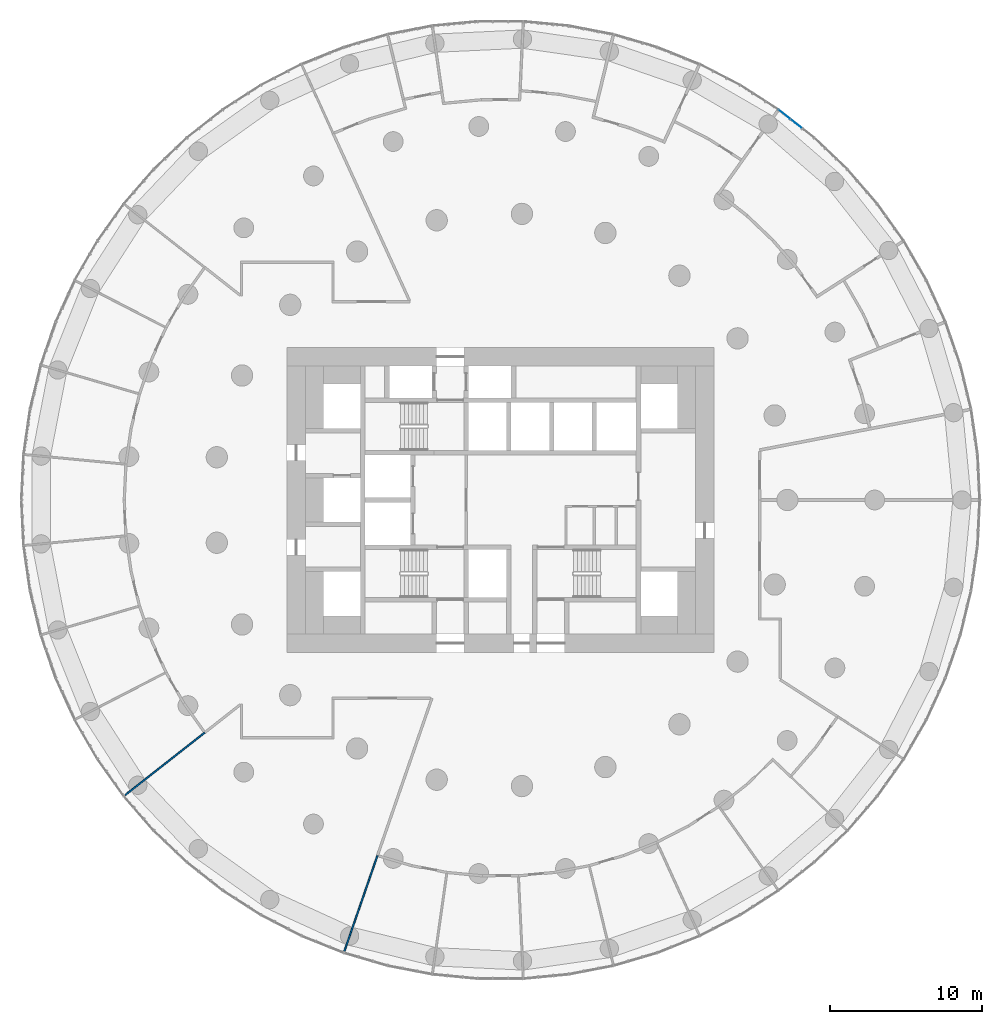
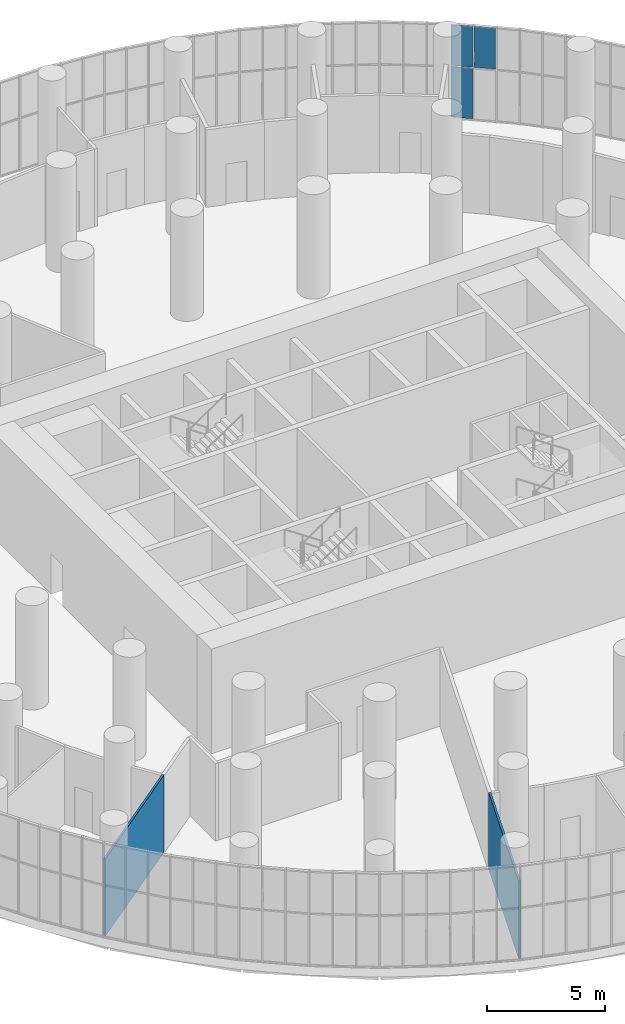
# One storey, part 20 of 27: 3 plates, 2 walls, 1 element without a shape of its own.
"""IFC4 building model written with IfcOpenShell, lengths in metres."""

import ifcopenshell
import ifcopenshell.guid

model = None  # the IFC model being written
_history = None  # IfcOwnerHistory: only IFC2X3 demands one
_inside = {}  # id of a spatial element -> (the spatial element, [elements in it])
_under = {}  # id of a project, library or spatial element -> (it, [spatial elements below it])
_declared = {}  # id of a project -> (the project, [libraries it declares])
_typed = {}  # id of a type object -> (the type object, [elements of that type])
_made_of = {}  # id of a material, layer set ... -> (it, [elements and type objects made of it])


def new_model(schema):
    """Start an empty IFC model of exactly this schema.

    Asked for "IFC4X3", IfcOpenShell would pick the latest addendum, in which some entities
    have other attributes; the version numbers below select the first issue.
    IFC2X3 requires an IfcOwnerHistory on every rooted entity: one is made here for all.
    """
    global model, _history
    if schema == "IFC4X3":
        model = ifcopenshell.file(schema_version=(4, 3, 0, 0))
    else:
        model = ifcopenshell.file(schema=schema)
    _inside.clear()
    _under.clear()
    _declared.clear()
    _typed.clear()
    _made_of.clear()
    _history = None
    if model.schema == "IFC2X3":
        org = make("IfcOrganization", Name="unknown")
        user = make(
            "IfcPersonAndOrganization",
            ThePerson=make("IfcPerson", FamilyName="unknown"),
            TheOrganization=org,
        )
        app = make(
            "IfcApplication",
            ApplicationDeveloper=org,
            Version="unknown",
            ApplicationFullName="unknown",
            ApplicationIdentifier="unknown",
        )
        _history = make(
            "IfcOwnerHistory",
            OwningUser=user,
            OwningApplication=app,
            ChangeAction="ADDED",
            CreationDate=0,
        )
    return model


def make(cls, **values):
    """One entity of the class cls with the attributes given. An attribute that is None is left unset."""
    return model.create_entity(
        cls, **{name: value for name, value in values.items() if value is not None}
    )


def rooted(cls, **values):
    """An entity with a GlobalId (a new one), such as an element, a storey or a relation."""
    return make(cls, GlobalId=ifcopenshell.guid.new(), OwnerHistory=_history, **values)


def si_unit(unit_type, name, prefix=None):
    """IfcSIUnit, for example si_unit("LENGTHUNIT", "METRE", prefix="MILLI")."""
    return make("IfcSIUnit", UnitType=unit_type, Prefix=prefix, Name=name)


def assignment(units):
    """IfcUnitAssignment: the units of a project."""
    return None if units is None else make("IfcUnitAssignment", Units=units)


def point(xyz):
    """IfcCartesianPoint."""
    return None if xyz is None else make("IfcCartesianPoint", Coordinates=xyz)


def direction(xyz):
    """IfcDirection."""
    return None if xyz is None else make("IfcDirection", DirectionRatios=xyz)


def frame(location, z_axis=None, x_axis=None):
    """IfcAxis2Placement3D, a coordinate frame: its origin and axes. An axis left out is left unset."""
    return make(
        "IfcAxis2Placement3D",
        Location=point(location),
        Axis=direction(z_axis),
        RefDirection=direction(x_axis),
    )


def frame_2d(location, x_axis=None):
    """IfcAxis2Placement2D, a coordinate frame in the plane: its origin and x axis."""
    return make(
        "IfcAxis2Placement2D", Location=point(location), RefDirection=direction(x_axis)
    )


def origin():
    """The frame at (0, 0, 0) with its axes left unset."""
    return frame((0.0, 0.0, 0.0))


def origin_2d():
    """The frame at (0, 0) in the plane with its x axis left unset."""
    return frame_2d((0.0, 0.0))


def place(relative_to, where):
    """IfcLocalPlacement: puts the frame where relative to a parent placement (None: the world)."""
    return make(
        "IfcLocalPlacement", PlacementRelTo=relative_to, RelativePlacement=where
    )


def context(
    kind, dimensions, precision=None, world=None, true_north=None, identifier=None
):
    """IfcGeometricRepresentationContext, for example the 3D "Model" context."""
    return make(
        "IfcGeometricRepresentationContext",
        ContextIdentifier=identifier,
        ContextType=kind,
        CoordinateSpaceDimension=dimensions,
        Precision=precision,
        WorldCoordinateSystem=world,
        TrueNorth=true_north,
    )


def subcontext(parent, identifier, kind, view, scale=None):
    """IfcGeometricRepresentationSubContext, for example "Body" below "Model"."""
    return make(
        "IfcGeometricRepresentationSubContext",
        ContextIdentifier=identifier,
        ContextType=kind,
        ParentContext=parent,
        TargetScale=scale,
        TargetView=view,
    )


def project(units=None, contexts=None):
    """IfcProject with its units and contexts."""
    return rooted(
        "IfcProject",
        Name="project",
        RepresentationContexts=contexts,
        UnitsInContext=assignment(units),
    )


def spatial(cls, under=None, at=None, **own):
    """A site, building, storey or space (cls), placed at a placement, below another one or the project."""
    s = rooted(cls, ObjectPlacement=at, **own)
    if under is not None:
        _under.setdefault(under.id(), (under, []))[1].append(s)
    return s


def profile(cls, at=None, kind="AREA", **sizes):
    """A parametric profile (cls). Its sizes go by their IFC names, for example OverallWidth=200.0."""
    return make(cls, ProfileType=kind, Position=at, **sizes)


def rectangle(**sizes):
    """IfcRectangleProfileDef."""
    return profile("IfcRectangleProfileDef", **sizes)


def extrude(swept, where, along, depth):
    """IfcExtrudedAreaSolid: the profile swept, set in the frame where, extruded along a direction by depth."""
    return make(
        "IfcExtrudedAreaSolid",
        SweptArea=swept,
        Position=where,
        ExtrudedDirection=direction(along),
        Depth=depth,
    )


def shape(context_of_items, identifier, shape_type, items):
    """IfcShapeRepresentation: the items that make up one representation, for example the "Body"."""
    return make(
        "IfcShapeRepresentation",
        ContextOfItems=context_of_items,
        RepresentationIdentifier=identifier,
        RepresentationType=shape_type,
        Items=items,
    )


def material(Name=None, Category=None):
    """IfcMaterial."""
    return make("IfcMaterial", Name=Name, Category=Category)


def layer(
    of_material, thickness, ventilated=None, Name=None, Category=None, Priority=None
):
    """IfcMaterialLayer: one layer of a wall or slab, of a material (None: an air gap)."""
    return make(
        "IfcMaterialLayer",
        Material=of_material,
        LayerThickness=thickness,
        IsVentilated=ventilated,
        Name=Name,
        Category=Category,
        Priority=Priority,
    )


def layer_set(layers, Name=None):
    """IfcMaterialLayerSet."""
    return make("IfcMaterialLayerSet", MaterialLayers=layers, LayerSetName=Name)


def made_of(thing, what):
    """Note that an element or type object is made of a material, layer set ...; save() writes the relation."""
    if what is not None:
        _made_of.setdefault(what.id(), (what, []))[1].append(thing)
    return thing


def type_object(cls, material=None, **own):
    """A type object (cls), such as IfcWallType, which elements share."""
    return made_of(rooted(cls, **own), material)


def element(
    cls,
    number,
    at=None,
    inside=None,
    cuts=None,
    type_object=None,
    material=None,
    context=None,
    identifier="Body",
    shape_type=None,
    held_by="IfcProductDefinitionShape",
    body=None,
    shapes=None,
    **own,
):
    """One element of the class cls, such as IfcWall. Its Tag is "e" and its number.

    at: its placement. inside: the storey or other place that contains it. cuts: it is an
    opening in that element (IfcRelVoidsElement). A single representation is given by context,
    identifier, shape_type and body (its items); several are given by shapes. held_by: the class
    of the entity that holds the representations. save() writes the other relations.
    """
    e = rooted(cls, Tag="e%d" % number, ObjectPlacement=at, **own)
    if body is not None:
        shapes = [shape(context, identifier, shape_type, body)]
    if shapes is not None:
        e.Representation = make(held_by, Representations=shapes)
    if inside is not None:
        _inside.setdefault(inside.id(), (inside, []))[1].append(e)
    if cuts is not None:
        rooted(
            "IfcRelVoidsElement", RelatingBuildingElement=cuts, RelatedOpeningElement=e
        )
    if type_object is not None:
        _typed.setdefault(type_object.id(), (type_object, []))[1].append(e)
    return made_of(e, material)


def aggregate(whole, parts):
    """IfcRelAggregates: a whole, such as a stair, and the parts it consists of."""
    return rooted("IfcRelAggregates", RelatingObject=whole, RelatedObjects=parts)


def save(model, path):
    """Write the relations noted so far, then the file.

    IfcRelAggregates (storeys below a building ...), IfcRelContainedInSpatialStructure (elements
    in a storey), IfcRelDefinesByType, IfcRelAssociatesMaterial and IfcRelDeclares: one each for
    every whole, place, type object, material and project.
    """
    for whole, parts in _under.values():
        aggregate(whole, parts)
    for where, things in _inside.values():
        rooted(
            "IfcRelContainedInSpatialStructure",
            RelatedElements=things,
            RelatingStructure=where,
        )
    for kind, things in _typed.values():
        rooted("IfcRelDefinesByType", RelatedObjects=things, RelatingType=kind)
    for what, things in _made_of.values():
        rooted("IfcRelAssociatesMaterial", RelatedObjects=things, RelatingMaterial=what)
    for by, libraries in _declared.values():
        rooted("IfcRelDeclares", RelatingContext=by, RelatedDefinitions=libraries)
    model.write(path)


model = new_model("IFC4")

# Units and contexts
model_context = context("Model", 3, precision=1e-05, world=origin(), true_north=direction((0.0, 1.0)))
body_context = subcontext(model_context, "Body", "Model", "MODEL_VIEW")
ifc_project = project(units=[si_unit("LENGTHUNIT", "METRE"), si_unit("AREAUNIT", "SQUARE_METRE"), si_unit("VOLUMEUNIT", "CUBIC_METRE"), si_unit("PLANEANGLEUNIT", "RADIAN"), si_unit("MASSUNIT", "GRAM", prefix="KILO")], contexts=[model_context])

# Site, building, storey
site_placement = place(None, origin())
site = spatial("IfcSite", under=ifc_project, at=site_placement, CompositionType="ELEMENT")
building_placement = place(site_placement, origin())
building = spatial("IfcBuilding", under=site, at=building_placement, Name="Tracery Tower", CompositionType="ELEMENT")
storey_placement = place(building_placement, frame((0.0, 0.0, 114.60009765625)))
storey = spatial("IfcBuildingStorey", under=building, at=storey_placement, Name="L29", CompositionType="ELEMENT", Elevation=114.60009765625)

# Curtain wall, plates
ifc_material_1 = material(Name="Aluminium curtain wall with tinted glass", Category="aluminium")
ifc_layer_1 = layer(ifc_material_1, 0.179931640625)
ifc_layer_set_1 = layer_set([ifc_layer_1], Name="Sky lounge 1 tracery curtain wall")
curtain_wall_type = type_object("IfcCurtainWallType", Name="Sky lounge 1 tracery curtain wall", PredefinedType="NOTDEFINED", material=ifc_layer_set_1)
curtain_wall_placement = place(storey_placement, origin())
curtain_wall = element("IfcCurtainWall", 1, at=curtain_wall_placement, inside=storey, type_object=curtain_wall_type, Name="Sky lounge 1 curtain wall run 10", PredefinedType="NOTDEFINED")
ifc_material_2 = material(Name="Tinted laminated glass", Category="glass")
ifc_layer_2 = layer(ifc_material_2, 0.031982421875)
ifc_layer_set_2 = layer_set([ifc_layer_2], Name="Sky lounge 1 glass panel 32")
plate_type = type_object("IfcPlateType", Name="Sky lounge 1 glass panel 32", PredefinedType="CURTAIN_PANEL", material=ifc_layer_set_2)
plate_1_placement = place(storey_placement, frame((19.409423828125, 24.68115234375, 2.72998046875), z_axis=(0.0, 0.0, 1.0), x_axis=(-0.786053094741, 0.618158986223, 0.0)))
plate_1 = element("IfcPlate", 2, at=plate_1_placement, type_object=plate_type, Name="Sky lounge 1 curtain wall run 10 glass panel 4", PredefinedType="CURTAIN_PANEL", context=body_context, shape_type="SweptSolid", body=[
    extrude(rectangle(XDim=0.937255859375, YDim=0.031982421875, at=origin_2d()), origin(), (0.0, 0.0, 1.0), 2.110107421875),
])
plate_2_placement = place(storey_placement, frame((18.625732421875, 25.297607421875, 0.06005859375), z_axis=(0.0, 0.0, 1.0), x_axis=(-0.786053094741, 0.618158986223, 0.0)))
plate_2 = element("IfcPlate", 3, at=plate_2_placement, type_object=plate_type, Name="Sky lounge 1 curtain wall run 10 glass panel 5", PredefinedType="CURTAIN_PANEL", context=body_context, shape_type="SweptSolid", body=[
    extrude(rectangle(XDim=0.937255859375, YDim=0.031982421875, at=origin_2d()), origin(), (0.0, 0.0, 1.0), 2.610107421875),
])
plate_3_placement = place(storey_placement, frame((18.625732421875, 25.297607421875, 2.72998046875), z_axis=(0.0, 0.0, 1.0), x_axis=(-0.786053094741, 0.618158986223, 0.0)))
plate_3 = element("IfcPlate", 4, at=plate_3_placement, type_object=plate_type, Name="Sky lounge 1 curtain wall run 10 glass panel 6", PredefinedType="CURTAIN_PANEL", context=body_context, shape_type="SweptSolid", body=[
    extrude(rectangle(XDim=0.937255859375, YDim=0.031982421875, at=origin_2d()), origin(), (0.0, 0.0, 1.0), 2.110107421875),
])
aggregate(curtain_wall, [plate_1, plate_2, plate_3])

# Walls
ifc_material_3 = material(Name="Plasterboard on steel studs", Category="steel")
ifc_layer_3 = layer(ifc_material_3, 0.10009765625)
ifc_layer_set_3 = layer_set([ifc_layer_3], Name="Stud partition 100")
wall_type = type_object("IfcWallType", Name="Stud partition 100", PredefinedType="PARTITIONING", material=ifc_layer_set_3)
wall_1_placement = place(storey_placement, frame((-24.638427734375, -19.375732421875, 0.0), z_axis=(0.0, 0.0, 1.0), x_axis=(0.786065039075, 0.618143797464, 0.0)))
element("IfcWall", 5, at=wall_1_placement, inside=storey, type_object=wall_type, Name="Stud partition 100", PredefinedType="PARTITIONING", context=body_context, shape_type="SweptSolid", body=[
    extrude(rectangle(XDim=6.657470703125, YDim=0.10009765625, at=frame_2d((3.32861328125, 0.0))), origin(), (0.0, 0.0, 1.0), 4.0),
])
wall_2_placement = place(storey_placement, frame((-10.251708984375, -29.62060546875, 0.0), z_axis=(0.0, 0.0, 1.0), x_axis=(0.327065221768, 0.94500176757, 0.0)))
element("IfcWall", 6, at=wall_2_placement, inside=storey, type_object=wall_type, Name="Stud partition 100", PredefinedType="PARTITIONING", context=body_context, shape_type="SweptSolid", body=[
    extrude(rectangle(XDim=6.65771484375, YDim=0.10009765625, at=frame_2d((3.328857421875, 0.0))), origin(), (0.0, 0.0, 1.0), 4.0),
])

save(model, "model.ifc")
